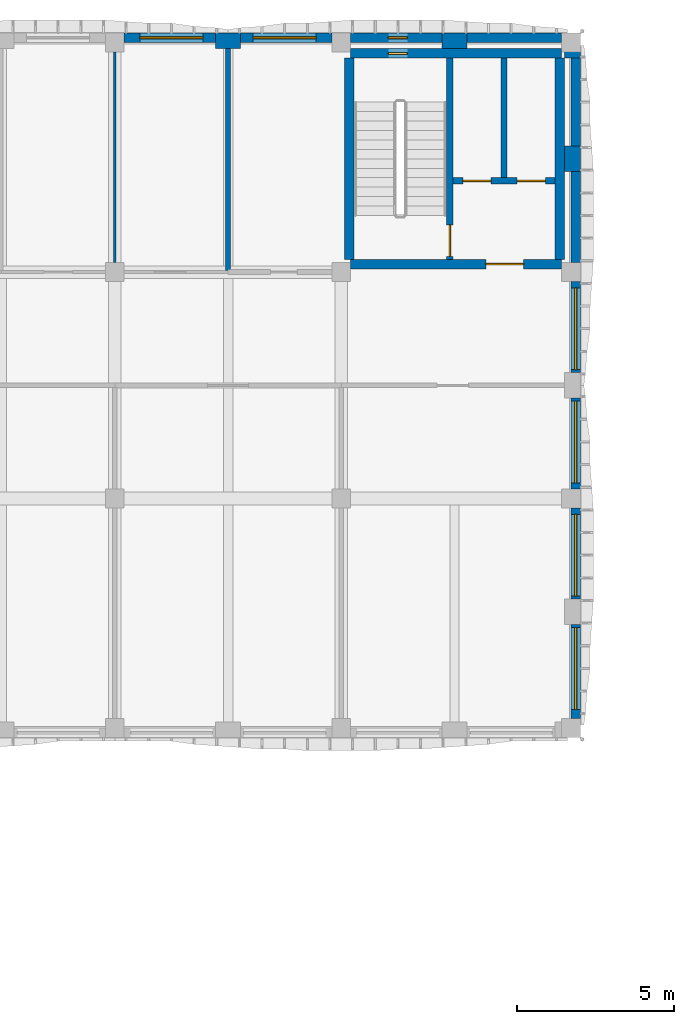
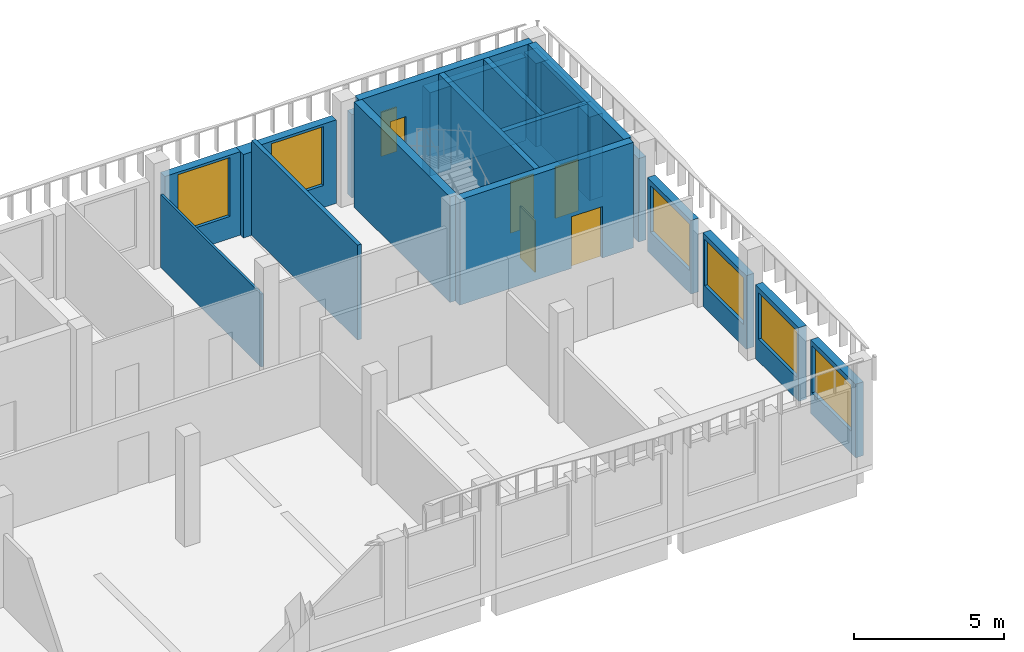
# One storey, part 17 of 38: 23 walls, 8 windows, 4 doors, 12 openings.
"""IFC4 building model written with IfcOpenShell, lengths in metres."""

from ifc_helpers import new_model, si_unit, direction, frame, frame_2d, origin, place, context, subcontext, project, spatial, rectangle, extrude, material, layer, layer_set, type_object, element, fill, save


model = new_model("IFC4")

# Units and contexts
model_context = context("Model", 3, precision=1e-05, world=origin(), true_north=direction((0.0, 1.0)))
body_context = subcontext(model_context, "Body", "Model", "MODEL_VIEW")
ifc_project = project(units=[si_unit("LENGTHUNIT", "METRE"), si_unit("AREAUNIT", "SQUARE_METRE"), si_unit("VOLUMEUNIT", "CUBIC_METRE"), si_unit("PLANEANGLEUNIT", "RADIAN"), si_unit("MASSUNIT", "GRAM", prefix="KILO")], contexts=[model_context])

# Site, building, storey
site_placement = place(None, origin())
site = spatial("IfcSite", under=ifc_project, at=site_placement, CompositionType="ELEMENT")
building_placement = place(site_placement, origin())
building = spatial("IfcBuilding", under=site, at=building_placement, Name="Ussher Court Research Institute", CompositionType="ELEMENT")
storey_placement = place(building_placement, frame((0.0, 0.0, 23.39990234375)))
storey = spatial("IfcBuildingStorey", under=building, at=storey_placement, Name="L05", CompositionType="ELEMENT", Elevation=23.39990234375)

# Wall, opening, window
ifc_material_1 = material(Name="Blockwork with cream render", Category="masonry")
ifc_layer_1 = layer(ifc_material_1, 0.300048828125)
ifc_layer_set_1 = layer_set([ifc_layer_1], Name="Blockwork with cream render")
wall_type_1 = type_object("IfcWallType", Name="External wall 300 cream render", PredefinedType="SOLIDWALL", material=ifc_layer_set_1)
wall_1_placement = place(storey_placement, frame((68.10009765625, 90.64990234375, 0.0), z_axis=(0.0, 0.0, 1.0), x_axis=(1.0, 0.0, 0.0)))
wall_1 = element("IfcWall", 1, at=wall_1_placement, inside=storey, type_object=wall_type_1, Name="External wall EW1 L05", PredefinedType="SOLIDWALL", context=body_context, shape_type="SweptSolid", body=[
    extrude(rectangle(XDim=2.89990234375, YDim=0.300048828125, at=frame_2d((1.449951171875, 0.0))), origin(), (0.0, 0.0, 1.0), 3.400146484375),
])
opening_1_placement = place(wall_1_placement, frame((0.5, 0.0, 0.89990234375)))
opening_1 = element("IfcOpeningElement", 2, at=opening_1_placement, cuts=wall_1, Name="Opening W14", PredefinedType="OPENING", context=body_context, shape_type="SweptSolid", body=[
    extrude(rectangle(XDim=2.0, YDim=2.39990234375, at=frame_2d((1.0, 1.199951171875))), frame((0.0, 0.16015625, 0.0), z_axis=(0.0, -1.0, 0.0), x_axis=(1.0, 0.0, 0.0)), (0.0, 0.0, 1.0), 0.320068359375),
])
ifc_material_2 = material(Name="Bronze anodised aluminium with double glazing", Category="aluminium")
window_type_1 = type_object("IfcWindowType", Name="Seminar and write-up office window 2000x2400", PartitioningType="DOUBLE_PANEL_VERTICAL", PredefinedType="WINDOW", material=ifc_material_2)
window_1_placement = place(opening_1_placement, origin())
window_1 = element("IfcWindow", 3, at=window_1_placement, inside=storey, type_object=window_type_1, Name="Window W14 L05", OverallHeight=2.39990234375, OverallWidth=2.0, PartitioningType="SINGLE_PANEL", PredefinedType="WINDOW", context=body_context, shape_type="SweptSolid", body=[
    extrude(rectangle(XDim=2.0, YDim=2.39990234375, at=frame_2d((1.0, 1.199951171875))), frame((0.0, 0.030029296875, 0.0), z_axis=(0.0, -1.0, 0.0), x_axis=(1.0, 0.0, 0.0)), (0.0, 0.0, 1.0), 0.06005859375),
])
fill(opening_1, window_1)

wall_2_placement = place(storey_placement, frame((71.800048828125, 90.64990234375, 0.0), z_axis=(0.0, 0.0, 1.0), x_axis=(1.0, 0.0, 0.0)))
wall_2 = element("IfcWall", 4, at=wall_2_placement, inside=storey, type_object=wall_type_1, Name="External wall EW1 L05", PredefinedType="SOLIDWALL", context=body_context, shape_type="SweptSolid", body=[
    extrude(rectangle(XDim=2.89990234375, YDim=0.300048828125, at=frame_2d((1.449951171875, 0.0))), origin(), (0.0, 0.0, 1.0), 3.400146484375),
])
opening_2_placement = place(wall_2_placement, frame((0.39990234375, 0.0, 0.89990234375)))
opening_2 = element("IfcOpeningElement", 5, at=opening_2_placement, cuts=wall_2, Name="Opening W14", PredefinedType="OPENING", context=body_context, shape_type="SweptSolid", body=[
    extrude(rectangle(XDim=2.0, YDim=2.39990234375, at=frame_2d((1.0, 1.199951171875))), frame((0.0, 0.16015625, 0.0), z_axis=(0.0, -1.0, 0.0), x_axis=(1.0, 0.0, 0.0)), (0.0, 0.0, 1.0), 0.320068359375),
])
window_2_placement = place(opening_2_placement, origin())
window_2 = element("IfcWindow", 6, at=window_2_placement, inside=storey, type_object=window_type_1, Name="Window W14 L05", OverallHeight=2.39990234375, OverallWidth=2.0, PartitioningType="SINGLE_PANEL", PredefinedType="WINDOW", context=body_context, shape_type="SweptSolid", body=[
    extrude(rectangle(XDim=2.0, YDim=2.39990234375, at=frame_2d((1.0, 1.199951171875))), frame((0.0, 0.030029296875, 0.0), z_axis=(0.0, -1.0, 0.0), x_axis=(1.0, 0.0, 0.0)), (0.0, 0.0, 1.0), 0.06005859375),
])
fill(opening_2, window_2)

wall_3_placement = place(storey_placement, frame((82.449951171875, 82.89990234375, 0.0), z_axis=(0.0, 0.0, 1.0), x_axis=(0.0, -1.0, 0.0)))
wall_3 = element("IfcWall", 7, at=wall_3_placement, inside=storey, type_object=wall_type_1, Name="External wall EW1 L05", PredefinedType="SOLIDWALL", context=body_context, shape_type="SweptSolid", body=[
    extrude(rectangle(XDim=2.89990234375, YDim=0.300048828125, at=frame_2d((1.449951171875, 0.0))), origin(), (0.0, 0.0, 1.0), 3.0),
])
opening_3_placement = place(wall_3_placement, frame((0.199951171875, 0.0, 0.89990234375)))
opening_3 = element("IfcOpeningElement", 8, at=opening_3_placement, cuts=wall_3, Name="Opening W30", PredefinedType="OPENING", context=body_context, shape_type="SweptSolid", body=[
    extrude(rectangle(XDim=2.60009765625, YDim=1.89990234375, at=frame_2d((1.300048828125, 0.949951171875))), frame((0.0, 0.16015625, 0.0), z_axis=(0.0, -1.0, 0.0), x_axis=(1.0, 0.0, 0.0)), (0.0, 0.0, 1.0), 0.320068359375),
])
ifc_material_3 = material(Name="Bronze anodised aluminium with double glazing", Category="aluminium")
window_type_2 = type_object("IfcWindowType", Name="Laboratory bay window 2600x1900", PartitioningType="DOUBLE_PANEL_VERTICAL", PredefinedType="WINDOW", material=ifc_material_3)
window_3_placement = place(opening_3_placement, origin())
window_3 = element("IfcWindow", 9, at=window_3_placement, inside=storey, type_object=window_type_2, Name="Window W30 L05", OverallHeight=1.89990234375, OverallWidth=2.60009765625, PartitioningType="SINGLE_PANEL", PredefinedType="WINDOW", context=body_context, shape_type="SweptSolid", body=[
    extrude(rectangle(XDim=2.60009765625, YDim=1.89990234375, at=frame_2d((1.300048828125, 0.949951171875))), frame((0.0, 0.030029296875, 0.0), z_axis=(0.0, -1.0, 0.0), x_axis=(1.0, 0.0, 0.0)), (0.0, 0.0, 1.0), 0.06005859375),
])
fill(opening_3, window_3)

wall_4_placement = place(storey_placement, frame((82.449951171875, 79.199951171875, 0.0), z_axis=(0.0, 0.0, 1.0), x_axis=(0.0, -1.0, 0.0)))
wall_4 = element("IfcWall", 10, at=wall_4_placement, inside=storey, type_object=wall_type_1, Name="External wall EW1 L05", PredefinedType="SOLIDWALL", context=body_context, shape_type="SweptSolid", body=[
    extrude(rectangle(XDim=2.89990234375, YDim=0.300048828125, at=frame_2d((1.449951171875, 0.0))), origin(), (0.0, 0.0, 1.0), 3.0),
])
opening_4_placement = place(wall_4_placement, frame((0.10009765625, 0.0, 0.89990234375)))
opening_4 = element("IfcOpeningElement", 11, at=opening_4_placement, cuts=wall_4, Name="Opening W30", PredefinedType="OPENING", context=body_context, shape_type="SweptSolid", body=[
    extrude(rectangle(XDim=2.60009765625, YDim=1.89990234375, at=frame_2d((1.300048828125, 0.949951171875))), frame((0.0, 0.16015625, 0.0), z_axis=(0.0, -1.0, 0.0), x_axis=(1.0, 0.0, 0.0)), (0.0, 0.0, 1.0), 0.320068359375),
])
window_4_placement = place(opening_4_placement, origin())
window_4 = element("IfcWindow", 12, at=window_4_placement, inside=storey, type_object=window_type_2, Name="Window W30 L05", OverallHeight=1.89990234375, OverallWidth=2.60009765625, PartitioningType="SINGLE_PANEL", PredefinedType="WINDOW", context=body_context, shape_type="SweptSolid", body=[
    extrude(rectangle(XDim=2.60009765625, YDim=1.89990234375, at=frame_2d((1.300048828125, 0.949951171875))), frame((0.0, 0.030029296875, 0.0), z_axis=(0.0, -1.0, 0.0), x_axis=(1.0, 0.0, 0.0)), (0.0, 0.0, 1.0), 0.06005859375),
])
fill(opening_4, window_4)

wall_5_placement = place(storey_placement, frame((82.449951171875, 75.699951171875, 0.0), z_axis=(0.0, 0.0, 1.0), x_axis=(0.0, -1.0, 0.0)))
wall_5 = element("IfcWall", 13, at=wall_5_placement, inside=storey, type_object=wall_type_1, Name="External wall EW1 L05", PredefinedType="SOLIDWALL", context=body_context, shape_type="SweptSolid", body=[
    extrude(rectangle(XDim=2.89990234375, YDim=0.300048828125, at=frame_2d((1.449951171875, 0.0))), origin(), (0.0, 0.0, 1.0), 3.0),
])
opening_5_placement = place(wall_5_placement, frame((0.199951171875, 0.0, 0.89990234375)))
opening_5 = element("IfcOpeningElement", 14, at=opening_5_placement, cuts=wall_5, Name="Opening W30", PredefinedType="OPENING", context=body_context, shape_type="SweptSolid", body=[
    extrude(rectangle(XDim=2.60009765625, YDim=1.89990234375, at=frame_2d((1.300048828125, 0.949951171875))), frame((0.0, 0.16015625, 0.0), z_axis=(0.0, -1.0, 0.0), x_axis=(1.0, 0.0, 0.0)), (0.0, 0.0, 1.0), 0.320068359375),
])
window_5_placement = place(opening_5_placement, origin())
window_5 = element("IfcWindow", 15, at=window_5_placement, inside=storey, type_object=window_type_2, Name="Window W30 L05", OverallHeight=1.89990234375, OverallWidth=2.60009765625, PartitioningType="SINGLE_PANEL", PredefinedType="WINDOW", context=body_context, shape_type="SweptSolid", body=[
    extrude(rectangle(XDim=2.60009765625, YDim=1.89990234375, at=frame_2d((1.300048828125, 0.949951171875))), frame((0.0, 0.030029296875, 0.0), z_axis=(0.0, -1.0, 0.0), x_axis=(1.0, 0.0, 0.0)), (0.0, 0.0, 1.0), 0.06005859375),
])
fill(opening_5, window_5)

wall_6_placement = place(storey_placement, frame((82.449951171875, 72.0, 0.0), z_axis=(0.0, 0.0, 1.0), x_axis=(0.0, -1.0, 0.0)))
wall_6 = element("IfcWall", 16, at=wall_6_placement, inside=storey, type_object=wall_type_1, Name="External wall EW1 L05", PredefinedType="SOLIDWALL", context=body_context, shape_type="SweptSolid", body=[
    extrude(rectangle(XDim=3.0, YDim=0.300048828125, at=frame_2d((1.5, 0.0))), origin(), (0.0, 0.0, 1.0), 3.0),
])
opening_6_placement = place(wall_6_placement, frame((0.10009765625, 0.0, 0.89990234375)))
opening_6 = element("IfcOpeningElement", 17, at=opening_6_placement, cuts=wall_6, Name="Opening W30", PredefinedType="OPENING", context=body_context, shape_type="SweptSolid", body=[
    extrude(rectangle(XDim=2.60009765625, YDim=1.89990234375, at=frame_2d((1.300048828125, 0.949951171875))), frame((0.0, 0.16015625, 0.0), z_axis=(0.0, -1.0, 0.0), x_axis=(1.0, 0.0, 0.0)), (0.0, 0.0, 1.0), 0.320068359375),
])
window_6_placement = place(opening_6_placement, origin())
window_6 = element("IfcWindow", 18, at=window_6_placement, inside=storey, type_object=window_type_2, Name="Window W30 L05", OverallHeight=1.89990234375, OverallWidth=2.60009765625, PartitioningType="SINGLE_PANEL", PredefinedType="WINDOW", context=body_context, shape_type="SweptSolid", body=[
    extrude(rectangle(XDim=2.60009765625, YDim=1.89990234375, at=frame_2d((1.300048828125, 0.949951171875))), frame((0.0, 0.030029296875, 0.0), z_axis=(0.0, -1.0, 0.0), x_axis=(1.0, 0.0, 0.0)), (0.0, 0.0, 1.0), 0.06005859375),
])
fill(opening_6, window_6)

ifc_material_4 = material(Name="Limestone facing on blockwork", Category="masonry")
ifc_layer_2 = layer(ifc_material_4, 0.300048828125)
ifc_layer_set_2 = layer_set([ifc_layer_2], Name="Limestone facing on blockwork")
wall_type_2 = type_object("IfcWallType", Name="External wall 300 stair enclosure", PredefinedType="SOLIDWALL", material=ifc_layer_set_2)
wall_7_placement = place(storey_placement, frame((75.300048828125, 90.64990234375, 0.0), z_axis=(0.0, 0.0, 1.0), x_axis=(1.0, 0.0, 0.0)))
wall_7 = element("IfcWall", 19, at=wall_7_placement, inside=storey, type_object=wall_type_2, Name="External wall EW5 L05", PredefinedType="SOLIDWALL", context=body_context, shape_type="SweptSolid", body=[
    extrude(rectangle(XDim=2.89990234375, YDim=0.300048828125, at=frame_2d((1.449951171875, 0.0))), origin(), (0.0, 0.0, 1.0), 3.400146484375),
])
opening_7_placement = place(wall_7_placement, frame((1.199951171875, 0.0, 1.199951171875)))
opening_7 = element("IfcOpeningElement", 20, at=opening_7_placement, cuts=wall_7, Name="Opening W25", PredefinedType="OPENING", context=body_context, shape_type="SweptSolid", body=[
    extrude(rectangle(XDim=0.60009765625, YDim=1.800048828125, at=frame_2d((0.300048828125, 0.89990234375))), frame((0.0, 0.16015625, 0.0), z_axis=(0.0, -1.0, 0.0), x_axis=(1.0, 0.0, 0.0)), (0.0, 0.0, 1.0), 0.320068359375),
])
ifc_material_5 = material(Name="Bronze anodised aluminium with double glazing", Category="aluminium")
window_type_3 = type_object("IfcWindowType", Name="Stair light slot window 600x1800 fire-resisting glazing", PartitioningType="SINGLE_PANEL", PredefinedType="WINDOW", material=ifc_material_5)
window_7_placement = place(opening_7_placement, origin())
window_7 = element("IfcWindow", 21, at=window_7_placement, inside=storey, type_object=window_type_3, Name="Window W25 L05", OverallHeight=1.800048828125, OverallWidth=0.60009765625, PartitioningType="SINGLE_PANEL", PredefinedType="WINDOW", context=body_context, shape_type="SweptSolid", body=[
    extrude(rectangle(XDim=0.60009765625, YDim=1.800048828125, at=frame_2d((0.300048828125, 0.89990234375))), frame((0.0, 0.030029296875, 0.0), z_axis=(0.0, -1.0, 0.0), x_axis=(1.0, 0.0, 0.0)), (0.0, 0.0, 1.0), 0.06005859375),
])
fill(opening_7, window_7)

# Walls
wall_8_placement = place(storey_placement, frame((79.0, 90.64990234375, 0.0), z_axis=(0.0, 0.0, 1.0), x_axis=(1.0, 0.0, 0.0)))
element("IfcWall", 22, at=wall_8_placement, inside=storey, type_object=wall_type_2, Name="External wall EW5 L05", PredefinedType="SOLIDWALL", context=body_context, shape_type="SweptSolid", body=[
    extrude(rectangle(XDim=3.0, YDim=0.300048828125, at=frame_2d((1.5, 0.0))), origin(), (0.0, 0.0, 1.0), 3.400146484375),
])
wall_9_placement = place(storey_placement, frame((82.449951171875, 90.0, 0.0), z_axis=(0.0, 0.0, 1.0), x_axis=(0.0, -1.0, 0.0)))
element("IfcWall", 23, at=wall_9_placement, inside=storey, type_object=wall_type_2, Name="External wall EW5 L05", PredefinedType="SOLIDWALL", context=body_context, shape_type="SweptSolid", body=[
    extrude(rectangle(XDim=2.800048828125, YDim=0.300048828125, at=frame_2d((1.39990234375, 0.0))), origin(), (0.0, 0.0, 1.0), 3.400146484375),
])
wall_10_placement = place(storey_placement, frame((82.449951171875, 86.39990234375, 0.0), z_axis=(0.0, 0.0, 1.0), x_axis=(0.0, -1.0, 0.0)))
element("IfcWall", 24, at=wall_10_placement, inside=storey, type_object=wall_type_2, Name="External wall EW5 L05", PredefinedType="SOLIDWALL", context=body_context, shape_type="SweptSolid", body=[
    extrude(rectangle(XDim=2.89990234375, YDim=0.300048828125, at=frame_2d((1.449951171875, 0.0))), origin(), (0.0, 0.0, 1.0), 3.400146484375),
])
ifc_material_6 = material(Name="Plastered blockwork", Category="masonry")
ifc_layer_3 = layer(ifc_material_6, 0.14990234375)
ifc_layer_set_3 = layer_set([ifc_layer_3], Name="Plastered blockwork")
wall_type_3 = type_object("IfcWallType", Name="Fire partition blockwork 150 EI 60", PredefinedType="PARTITIONING", material=ifc_layer_set_3)
wall_11_placement = place(storey_placement, frame((71.39990234375, 83.2451171875, 0.0), z_axis=(0.0, 0.0, 1.0), x_axis=(0.0, 1.0, 0.0)))
element("IfcWall", 25, at=wall_11_placement, inside=storey, type_object=wall_type_3, Name="Fire partition", PredefinedType="PARTITIONING", context=body_context, shape_type="SweptSolid", body=[
    extrude(rectangle(XDim=7.054931640625, YDim=0.14990234375, at=frame_2d((3.52734375, 0.0))), origin(), (0.0, 0.0, 1.0), 3.8701171875),
])
ifc_material_7 = material(Name="Blockwork with cream render", Category="masonry")
ifc_layer_4 = layer(ifc_material_7, 0.5)
ifc_layer_set_4 = layer_set([ifc_layer_4], Name="Blockwork with cream render")
wall_type_4 = type_object("IfcWallType", Name="Pier 800x500 cream render", PredefinedType="SOLIDWALL", material=ifc_layer_set_4)
for number, where, z_axis, x_axis, name in (
    (26, (71.0, 90.550048828125, 0.0), (0.0, 0.0, 1.0), (1.0, 0.0, 0.0), "Pier PR1 L05"),
    (27, (78.199951171875, 90.550048828125, 0.0), (0.0, 0.0, 1.0), (1.0, 0.0, 0.0), "Pier PR1 L05"),
    (28, (82.35009765625, 90.800048828125, 0.0), (0.0, 0.0, 1.0), (0.0, -1.0, 0.0), "Pier PR1 L05"),
    (29, (82.35009765625, 87.199951171875, 0.0), (0.0, 0.0, 1.0), (0.0, -1.0, 0.0), "Pier PR1 L05"),
):
    element("IfcWall", number, at=place(storey_placement, frame(where, z_axis=z_axis, x_axis=x_axis)), inside=storey, type_object=wall_type_4, Name=name, PredefinedType="SOLIDWALL", context=body_context, shape_type="SweptSolid", body=[
        extrude(rectangle(XDim=0.800048828125, YDim=0.5, at=frame_2d((0.39990234375, 0.0))), origin(), (0.0, 0.0, 1.0), 3.400146484375),
    ])

# Wall, opening, door
ifc_material_8 = material(Name="Concrete C35/45", Category="concrete")
ifc_layer_5 = layer(ifc_material_8, 0.199951171875)
ifc_layer_set_5 = layer_set([ifc_layer_5], Name="Concrete C35/45")
wall_type_5 = type_object("IfcWallType", Name="RC core wall 200", PredefinedType="SHEAR", material=ifc_layer_set_5)
wall_12_placement = place(storey_placement, frame((78.449951171875, 83.60009765625, 0.0), z_axis=(0.0, 0.0, 1.0), x_axis=(0.0, 1.0, 0.0)))
wall_12 = element("IfcWall", 30, at=wall_12_placement, inside=storey, type_object=wall_type_5, Name="Core wall D3", PredefinedType="SHEAR", context=body_context, shape_type="SweptSolid", body=[
    extrude(rectangle(XDim=6.39990234375, YDim=0.199951171875, at=frame_2d((3.199951171875, 0.0))), origin(), (0.0, 0.0, 1.0), 4.300048828125),
])
opening_8_placement = place(wall_12_placement, frame((0.10009765625, 0.0, 0.0)))
opening_8 = element("IfcOpeningElement", 31, at=opening_8_placement, cuts=wall_12, Name="Opening D05021", PredefinedType="OPENING", context=body_context, shape_type="SweptSolid", body=[
    extrude(rectangle(XDim=1.0, YDim=2.10009765625, at=frame_2d((0.5, 1.050048828125))), frame((0.0, 0.10986328125, 0.0), z_axis=(0.0, -1.0, 0.0), x_axis=(1.0, 0.0, 0.0)), (0.0, 0.0, 1.0), 0.219970703125),
])
ifc_material_9 = material(Name="Painted steel faced fire door", Category="steel")
door_type_1 = type_object("IfcDoorType", Name="Fire door 1000x2100 FD60", OperationType="NOTDEFINED", PredefinedType="DOOR", material=ifc_material_9)
door_1_placement = place(opening_8_placement, origin())
door_1 = element("IfcDoor", 32, at=door_1_placement, inside=storey, type_object=door_type_1, Name="Door D05021", OperationType="SINGLE_SWING_LEFT", OverallHeight=2.10009765625, OverallWidth=1.0, PredefinedType="DOOR", context=body_context, shape_type="SweptSolid", body=[
    extrude(rectangle(XDim=1.0, YDim=2.10009765625, at=frame_2d((0.5, 1.050048828125))), frame((0.0, 0.02490234375, 0.0), z_axis=(0.0, -1.0, 0.0), x_axis=(1.0, 0.0, 0.0)), (0.0, 0.0, 1.0), 0.050048828125),
])
fill(opening_8, door_1)

# Wall, openings, doors
wall_13_placement = place(storey_placement, frame((81.800048828125, 86.10009765625, 0.0), z_axis=(0.0, 0.0, 1.0), x_axis=(-1.0, 0.0, 0.0)))
wall_13 = element("IfcWall", 33, at=wall_13_placement, inside=storey, type_object=wall_type_5, Name="Core wall D3", PredefinedType="SHEAR", context=body_context, shape_type="SweptSolid", body=[
    extrude(rectangle(XDim=3.25, YDim=0.199951171875, at=frame_2d((1.625, 0.0))), origin(), (0.0, 0.0, 1.0), 4.300048828125),
])
opening_9_placement = place(wall_13_placement, frame((2.03759765625, 0.0, 0.0)))
opening_9 = element("IfcOpeningElement", 34, at=opening_9_placement, cuts=wall_13, Name="Opening D05023", PredefinedType="OPENING", context=body_context, shape_type="SweptSolid", body=[
    extrude(rectangle(XDim=0.89990234375, YDim=2.10009765625, at=frame_2d((0.449951171875, 1.050048828125))), frame((0.0, 0.10986328125, 0.0), z_axis=(0.0, -1.0, 0.0), x_axis=(1.0, 0.0, 0.0)), (0.0, 0.0, 1.0), 0.219970703125),
])
opening_10_placement = place(wall_13_placement, frame((0.3125, 0.0, 0.0)))
opening_10 = element("IfcOpeningElement", 35, at=opening_10_placement, cuts=wall_13, Name="Opening D05025", PredefinedType="OPENING", context=body_context, shape_type="SweptSolid", body=[
    extrude(rectangle(XDim=0.89990234375, YDim=2.10009765625, at=frame_2d((0.449951171875, 1.050048828125))), frame((0.0, 0.10986328125, 0.0), z_axis=(0.0, -1.0, 0.0), x_axis=(1.0, 0.0, 0.0)), (0.0, 0.0, 1.0), 0.219970703125),
])
ifc_material_10 = material(Name="Painted steel faced fire door", Category="steel")
door_type_2 = type_object("IfcDoorType", Name="Fire door 900x2100 FD60", OperationType="NOTDEFINED", PredefinedType="DOOR", material=ifc_material_10)
door_2_placement = place(opening_9_placement, origin())
door_2 = element("IfcDoor", 36, at=door_2_placement, inside=storey, type_object=door_type_2, Name="Door D05023", OperationType="SINGLE_SWING_RIGHT", OverallHeight=2.10009765625, OverallWidth=0.89990234375, PredefinedType="DOOR", context=body_context, shape_type="SweptSolid", body=[
    extrude(rectangle(XDim=0.89990234375, YDim=2.10009765625, at=frame_2d((0.449951171875, 1.050048828125))), frame((0.0, 0.02490234375, 0.0), z_axis=(0.0, -1.0, 0.0), x_axis=(1.0, 0.0, 0.0)), (0.0, 0.0, 1.0), 0.050048828125),
])
fill(opening_9, door_2)
door_3_placement = place(opening_10_placement, origin())
door_3 = element("IfcDoor", 37, at=door_3_placement, inside=storey, type_object=door_type_2, Name="Door D05025", OperationType="SINGLE_SWING_LEFT", OverallHeight=2.10009765625, OverallWidth=0.89990234375, PredefinedType="DOOR", context=body_context, shape_type="SweptSolid", body=[
    extrude(rectangle(XDim=0.89990234375, YDim=2.10009765625, at=frame_2d((0.449951171875, 1.050048828125))), frame((0.0, 0.02490234375, 0.0), z_axis=(0.0, -1.0, 0.0), x_axis=(1.0, 0.0, 0.0)), (0.0, 0.0, 1.0), 0.050048828125),
])
fill(opening_10, door_3)

# Wall
wall_14_placement = place(storey_placement, frame((80.175048828125, 86.199951171875, 0.0), z_axis=(0.0, 0.0, 1.0), x_axis=(0.0, 1.0, 0.0)))
element("IfcWall", 38, at=wall_14_placement, inside=storey, type_object=wall_type_5, Name="Core wall D3", PredefinedType="SHEAR", context=body_context, shape_type="SweptSolid", body=[
    extrude(rectangle(XDim=3.800048828125, YDim=0.199951171875, at=frame_2d((1.89990234375, 0.0))), origin(), (0.0, 0.0, 1.0), 4.300048828125),
])

# Wall, opening, door
ifc_material_11 = material(Name="Concrete C35/45", Category="concrete")
ifc_layer_6 = layer(ifc_material_11, 0.300048828125)
ifc_layer_set_6 = layer_set([ifc_layer_6], Name="Concrete C35/45")
wall_type_6 = type_object("IfcWallType", Name="RC core wall 300", PredefinedType="SHEAR", material=ifc_layer_set_6)
wall_15_placement = place(storey_placement, frame((75.300048828125, 83.449951171875, 0.0), z_axis=(0.0, 0.0, 1.0), x_axis=(1.0, 0.0, 0.0)))
wall_15 = element("IfcWall", 39, at=wall_15_placement, inside=storey, type_object=wall_type_6, Name="Core wall D3", PredefinedType="SHEAR", context=body_context, shape_type="SweptSolid", body=[
    extrude(rectangle(XDim=6.699951171875, YDim=0.300048828125, at=frame_2d((3.35009765625, 0.0))), origin(), (0.0, 0.0, 1.0), 4.300048828125),
])
opening_11_placement = place(wall_15_placement, frame((4.300048828125, 0.0, 0.0)))
opening_11 = element("IfcOpeningElement", 40, at=opening_11_placement, cuts=wall_15, Name="Opening D05024", PredefinedType="OPENING", context=body_context, shape_type="SweptSolid", body=[
    extrude(rectangle(XDim=1.199951171875, YDim=2.10009765625, at=frame_2d((0.60009765625, 1.050048828125))), frame((0.0, 0.16015625, 0.0), z_axis=(0.0, -1.0, 0.0), x_axis=(1.0, 0.0, 0.0)), (0.0, 0.0, 1.0), 0.320068359375),
])
ifc_material_12 = material(Name="Painted steel faced fire door", Category="steel")
door_type_3 = type_object("IfcDoorType", Name="Fire door 1200x2100 FD60", OperationType="NOTDEFINED", PredefinedType="DOOR", material=ifc_material_12)
door_4_placement = place(opening_11_placement, origin())
door_4 = element("IfcDoor", 41, at=door_4_placement, inside=storey, type_object=door_type_3, Name="Door D05024", OperationType="SINGLE_SWING_RIGHT", OverallHeight=2.10009765625, OverallWidth=1.199951171875, PredefinedType="DOOR", context=body_context, shape_type="SweptSolid", body=[
    extrude(rectangle(XDim=1.199951171875, YDim=2.10009765625, at=frame_2d((0.60009765625, 1.050048828125))), frame((0.0, 0.02490234375, 0.0), z_axis=(0.0, -1.0, 0.0), x_axis=(1.0, 0.0, 0.0)), (0.0, 0.0, 1.0), 0.050048828125),
])
fill(opening_11, door_4)

# Wall, opening, window
wall_16_placement = place(storey_placement, frame((75.300048828125, 90.14990234375, 0.0), z_axis=(0.0, 0.0, 1.0), x_axis=(1.0, 0.0, 0.0)))
wall_16 = element("IfcWall", 42, at=wall_16_placement, inside=storey, type_object=wall_type_6, Name="Core wall D3", PredefinedType="SHEAR", context=body_context, shape_type="SweptSolid", body=[
    extrude(rectangle(XDim=6.699951171875, YDim=0.300048828125, at=frame_2d((3.35009765625, 0.0))), origin(), (0.0, 0.0, 1.0), 4.300048828125),
])
opening_12_placement = place(wall_16_placement, frame((1.199951171875, 0.0, 1.199951171875)))
opening_12 = element("IfcOpeningElement", 43, at=opening_12_placement, cuts=wall_16, Name="Opening W25", PredefinedType="OPENING", context=body_context, shape_type="SweptSolid", body=[
    extrude(rectangle(XDim=0.60009765625, YDim=1.800048828125, at=frame_2d((0.300048828125, 0.89990234375))), frame((0.0, 0.16015625, 0.0), z_axis=(0.0, -1.0, 0.0), x_axis=(1.0, 0.0, 0.0)), (0.0, 0.0, 1.0), 0.320068359375),
])
window_8_placement = place(opening_12_placement, origin())
window_8 = element("IfcWindow", 44, at=window_8_placement, inside=storey, type_object=window_type_3, Name="Window stair light D3 L05", OverallHeight=1.800048828125, OverallWidth=0.60009765625, PartitioningType="SINGLE_PANEL", PredefinedType="WINDOW", context=body_context, shape_type="SweptSolid", body=[
    extrude(rectangle(XDim=0.60009765625, YDim=1.800048828125, at=frame_2d((0.300048828125, 0.89990234375))), frame((0.0, 0.030029296875, 0.0), z_axis=(0.0, -1.0, 0.0), x_axis=(1.0, 0.0, 0.0)), (0.0, 0.0, 1.0), 0.06005859375),
])
fill(opening_12, window_8)

# Walls
for number, where, z_axis, x_axis, name in (
    (45, (75.25, 83.60009765625, 0.0), (0.0, 0.0, 1.0), (0.0, 1.0, 0.0), "Core wall D3"),
    (46, (81.949951171875, 83.60009765625, 0.0), (0.0, 0.0, 1.0), (0.0, 1.0, 0.0), "Core wall D3"),
):
    element("IfcWall", number, at=place(storey_placement, frame(where, z_axis=z_axis, x_axis=x_axis)), inside=storey, type_object=wall_type_6, Name=name, PredefinedType="SHEAR", context=body_context, shape_type="SweptSolid", body=[
        extrude(rectangle(XDim=6.39990234375, YDim=0.300048828125, at=frame_2d((3.199951171875, 0.0))), origin(), (0.0, 0.0, 1.0), 4.300048828125),
    ])
ifc_material_13 = material(Name="Moisture-resistant board on steel studs", Category="steel")
ifc_layer_7 = layer(ifc_material_13, 0.090087890625)
ifc_layer_set_7 = layer_set([ifc_layer_7], Name="Moisture-resistant board on steel studs")
wall_type_7 = type_object("IfcWallType", Name="WC lining partition 90", PredefinedType="PARTITIONING", material=ifc_layer_set_7)
wall_17_placement = place(storey_placement, frame((67.800048828125, 83.5, 0.0), z_axis=(0.0, 0.0, 1.0), x_axis=(0.0, 1.0, 0.0)))
element("IfcWall", 47, at=wall_17_placement, inside=storey, type_object=wall_type_7, Name="Partition", PredefinedType="PARTITIONING", context=body_context, shape_type="SweptSolid", body=[
    extrude(rectangle(XDim=6.699951171875, YDim=0.090087890625, at=frame_2d((3.35009765625, 0.0))), origin(), (0.0, 0.0, 1.0), 2.97021484375),
])

save(model, "model.ifc")
